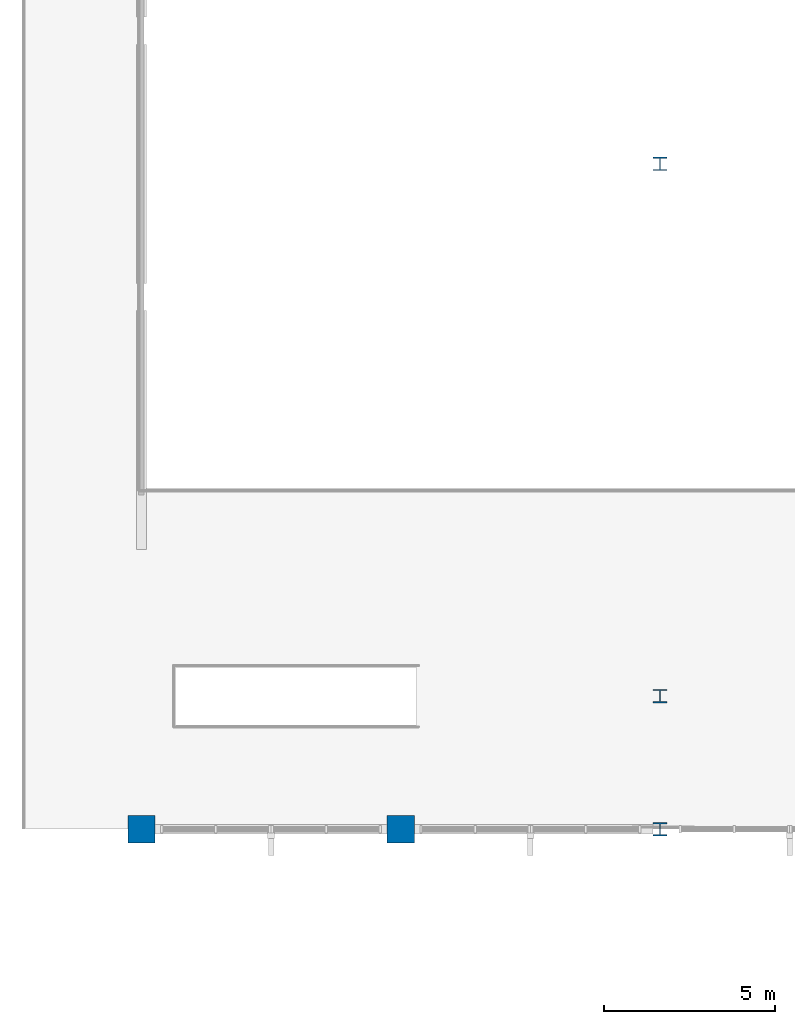
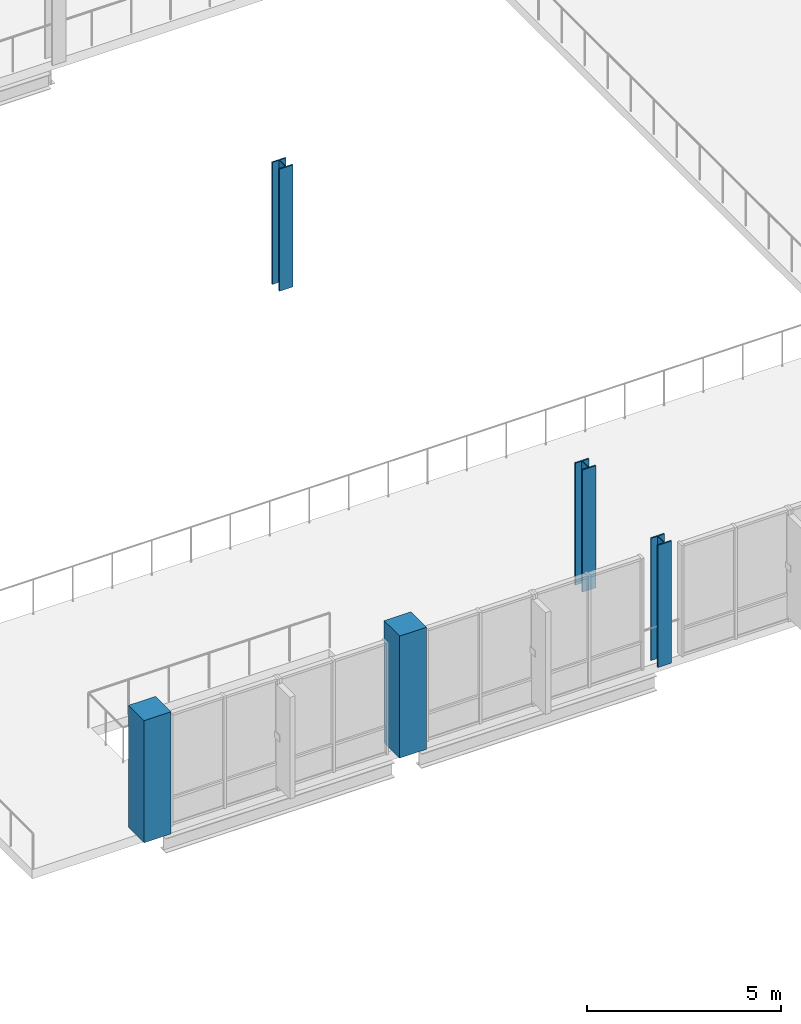
# One storey, part 6 of 64: 5 columns.
"""IFC4 building model written with IfcOpenShell, lengths in metres."""

from ifc_helpers import new_model, si_unit, direction, frame, origin, origin_2d, place, context, subcontext, project, spatial, rectangle, i_section, extrude, material, material_profile, profile_set, type_object, element, save


model = new_model("IFC4")

# Units and contexts
model_context = context("Model", 3, precision=1e-05, world=origin(), true_north=direction((0.0, 1.0)))
body_context = subcontext(model_context, "Body", "Model", "MODEL_VIEW")
ifc_project = project(units=[si_unit("LENGTHUNIT", "METRE"), si_unit("AREAUNIT", "SQUARE_METRE"), si_unit("VOLUMEUNIT", "CUBIC_METRE"), si_unit("PLANEANGLEUNIT", "RADIAN"), si_unit("MASSUNIT", "GRAM", prefix="KILO")], contexts=[model_context])

# Site, building, storey
site_placement = place(None, origin())
site = spatial("IfcSite", under=ifc_project, at=site_placement, CompositionType="ELEMENT")
building_placement = place(site_placement, origin())
building = spatial("IfcBuilding", under=site, at=building_placement, Name="Vervanel Yard Central Library", CompositionType="ELEMENT")
storey_placement = place(building_placement, frame((0.0, 0.0, 8.93994140625)))
storey = spatial("IfcBuildingStorey", under=building, at=storey_placement, Name="L02", CompositionType="ELEMENT", Elevation=8.93994140625)

# Columns
ifc_material_1 = material(Name="Concrete C45/55", Category="concrete")
ifc_material_profile_1 = material_profile(ifc_material_1, rectangle(XDim=0.800048828125, YDim=0.800048828125, at=origin_2d()), Name="RC 800x800", Category="concrete")
ifc_profile_set_1 = profile_set([ifc_material_profile_1], Name="Concrete C45/55")
column_type_1 = type_object("IfcColumnType", Name="Concrete Column 800x800", PredefinedType="COLUMN", material=ifc_profile_set_1)
for number, where, z_axis, x_axis, name in (
    (1, (108.0, 43.199951171875, 0.0), (0.0, 0.0, 1.0), (1.0, 0.0, 0.0), "L02 Concrete Column 800x800 (108.0, 43.2)"),
    (2, (115.60009765625, 43.199951171875, 0.0), (0.0, 0.0, 1.0), (1.0, 0.0, 0.0), "L02 Concrete Column 800x800 (115.6, 43.2)"),
):
    element("IfcColumn", number, at=place(storey_placement, frame(where, z_axis=z_axis, x_axis=x_axis)), inside=storey, type_object=column_type_1, Name=name, PredefinedType="COLUMN", context=body_context, shape_type="SweptSolid", body=[
        extrude(rectangle(XDim=0.800048828125, YDim=0.800048828125, at=origin_2d()), origin(), (0.0, 0.0, 1.0), 3.840087890625),
    ])
ifc_material_2 = material(Name="Steel ASTM A992 Grade 50", Category="steel")
ifc_material_profile_2 = material_profile(ifc_material_2, i_section(OverallWidth=0.4013671875, OverallDepth=0.398681640625, WebThickness=0.02490234375, FlangeThickness=0.03955078125, at=origin_2d()), Name="W14X211", Category="steel")
ifc_profile_set_2 = profile_set([ifc_material_profile_2], Name="Steel ASTM A992 Grade 50")
column_type_2 = type_object("IfcColumnType", Name="Steel Tie-Down Column W14X211", PredefinedType="COLUMN", material=ifc_profile_set_2)
for number, where, z_axis, x_axis, name in (
    (3, (123.199951171875, 43.199951171875, 0.0), (0.0, 0.0, 1.0), (1.0, 0.0, 0.0), "L02 Steel Tie-Down Column W14X211 (123.2, 43.2)"),
    (4, (123.199951171875, 47.10009765625, 0.0), (0.0, 0.0, 1.0), (1.0, 0.0, 0.0), "L02 Prow Truss S Post (123.2, 47.1)"),
    (5, (123.199951171875, 62.699951171875, 0.0), (0.0, 0.0, 1.0), (1.0, 0.0, 0.0), "L02 Prow Truss N Post (123.2, 62.7)"),
):
    element("IfcColumn", number, at=place(storey_placement, frame(where, z_axis=z_axis, x_axis=x_axis)), inside=storey, type_object=column_type_2, Name=name, PredefinedType="COLUMN", context=body_context, shape_type="SweptSolid", body=[
        extrude(i_section(OverallWidth=0.4013671875, OverallDepth=0.398681640625, WebThickness=0.02490234375, FlangeThickness=0.03955078125, at=origin_2d()), origin(), (0.0, 0.0, 1.0), 3.840087890625),
    ])

save(model, "model.ifc")
